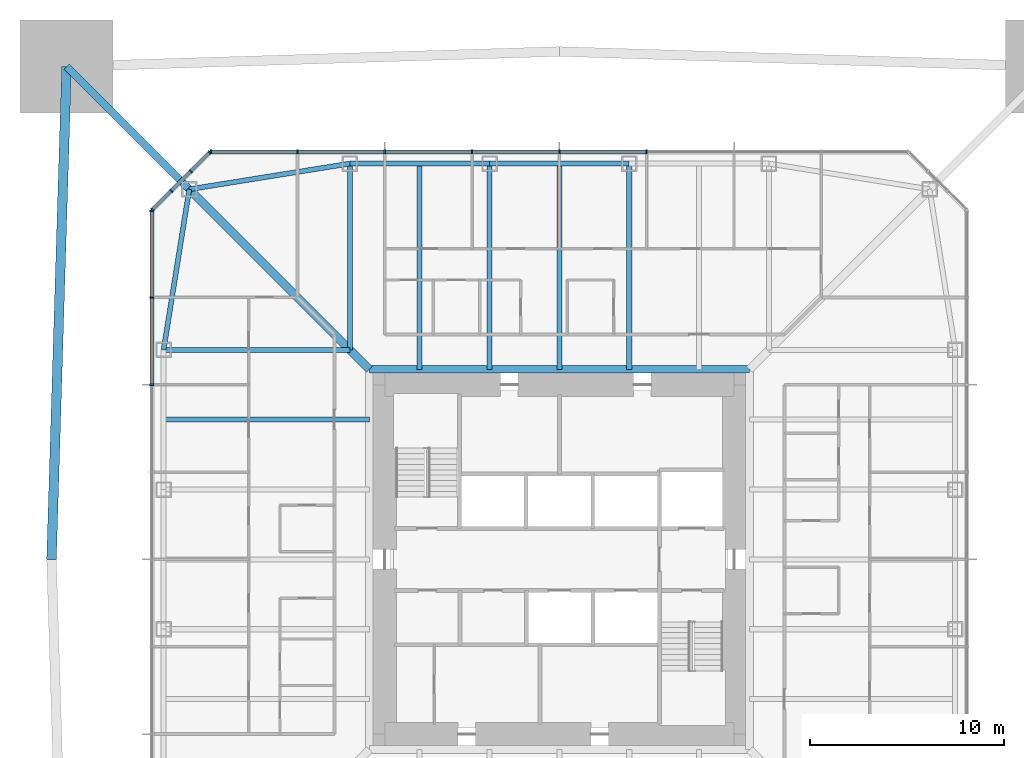
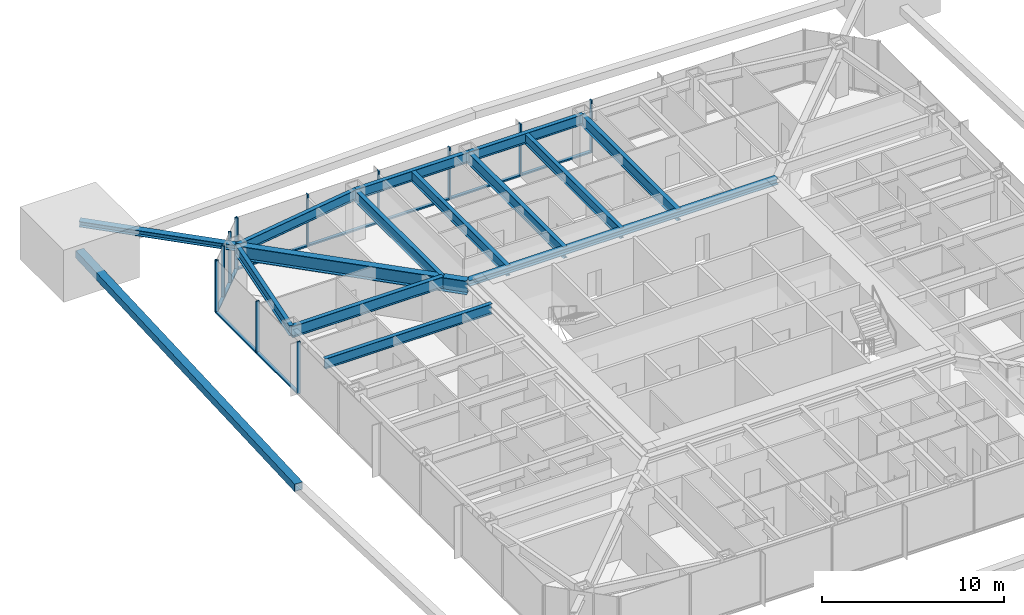
# One storey, part 7 of 27: 25 members, 13 beams, 3 elements without a shape of their own.
"""IFC4 building model written with IfcOpenShell, lengths in metres."""

from ifc_helpers import new_model, si_unit, direction, frame, origin, origin_2d, place, context, subcontext, project, spatial, rectangle, hollow_rectangle, i_section, extrude, material, material_profile, profile_set, type_object, element, aggregate, save


model = new_model("IFC4")

# Units and contexts
model_context = context("Model", 3, precision=1e-05, world=origin(), true_north=direction((0.0, 1.0)))
body_context = subcontext(model_context, "Body", "Model", "MODEL_VIEW")
ifc_project = project(units=[si_unit("LENGTHUNIT", "METRE"), si_unit("AREAUNIT", "SQUARE_METRE"), si_unit("VOLUMEUNIT", "CUBIC_METRE"), si_unit("PLANEANGLEUNIT", "RADIAN"), si_unit("MASSUNIT", "GRAM", prefix="KILO")], contexts=[model_context])

# Site, building, storey
site_placement = place(None, origin())
site = spatial("IfcSite", under=ifc_project, at=site_placement, CompositionType="ELEMENT")
building_placement = place(site_placement, origin())
building = spatial("IfcBuilding", under=site, at=building_placement, Name="Iwan Alto Co-Living Towers", CompositionType="ELEMENT")
storey_placement = place(building_placement, frame((0.0, 0.0, 91.0)))
storey = spatial("IfcBuildingStorey", under=building, at=storey_placement, Name="L24", CompositionType="ELEMENT", Elevation=91.0)

# Curtain wall, members
ifc_material_1 = material(Name="Bronze aluminium unitised frame", Category="aluminium")
curtain_wall_type_1 = type_object("IfcCurtainWallType", Name="CURTAIN WALL CW-A", PredefinedType="NOTDEFINED", material=ifc_material_1)
curtain_wall_1_placement = place(storey_placement, origin())
curtain_wall_1 = element("IfcCurtainWall", 1, at=curtain_wall_1_placement, inside=storey, type_object=curtain_wall_type_1, Name="T1 curtain wall N L24", PredefinedType="NOTDEFINED")
ifc_material_2 = material(Name="Aluminium 6063-T6 bronze anodised", Category="aluminium")
ifc_material_profile_1 = material_profile(ifc_material_2, rectangle(XDim=0.199951171875, YDim=0.080078125, at=origin_2d()), Name="AL 80X200")
ifc_profile_set_1 = profile_set([ifc_material_profile_1], Name="Aluminium 6063-T6 bronze anodised")
member_type_1 = type_object("IfcMemberType", Name="CW-A MULLION 80X200", PredefinedType="MULLION", material=ifc_profile_set_1)
member_1_placement = place(storey_placement, frame((4.5, 21.0, 0.0), z_axis=(0.0, 0.0, 1.0), x_axis=(0.0, -1.0, 0.0)))
member_1 = element("IfcMember", 2, at=member_1_placement, type_object=member_type_1, Name="CW-A mullion 4", PredefinedType="MULLION", context=body_context, shape_type="SweptSolid", body=[
    extrude(rectangle(XDim=0.199951171875, YDim=0.080078125, at=origin_2d()), origin(), (0.0, 0.0, 1.0), 3.5),
])
member_2_placement = place(storey_placement, frame((0.0, 21.0, 0.0), z_axis=(0.0, 0.0, 1.0), x_axis=(0.0, -1.0, 0.0)))
member_2 = element("IfcMember", 3, at=member_2_placement, type_object=member_type_1, Name="CW-A mullion 5", PredefinedType="MULLION", context=body_context, shape_type="SweptSolid", body=[
    extrude(rectangle(XDim=0.199951171875, YDim=0.080078125, at=origin_2d()), origin(), (0.0, 0.0, 1.0), 3.5),
])
member_3_placement = place(storey_placement, frame((-4.5, 21.0, 0.0), z_axis=(0.0, 0.0, 1.0), x_axis=(0.0, -1.0, 0.0)))
member_3 = element("IfcMember", 4, at=member_3_placement, type_object=member_type_1, Name="CW-A mullion 6", PredefinedType="MULLION", context=body_context, shape_type="SweptSolid", body=[
    extrude(rectangle(XDim=0.199951171875, YDim=0.080078125, at=origin_2d()), origin(), (0.0, 0.0, 1.0), 3.5),
])
member_4_placement = place(storey_placement, frame((-9.0, 21.0, 0.0), z_axis=(0.0, 0.0, 1.0), x_axis=(0.0, -1.0, 0.0)))
member_4 = element("IfcMember", 5, at=member_4_placement, type_object=member_type_1, Name="CW-A mullion 7", PredefinedType="MULLION", context=body_context, shape_type="SweptSolid", body=[
    extrude(rectangle(XDim=0.199951171875, YDim=0.080078125, at=origin_2d()), origin(), (0.0, 0.0, 1.0), 3.5),
])
member_5_placement = place(storey_placement, frame((-13.5, 21.0, 0.0), z_axis=(0.0, 0.0, 1.0), x_axis=(0.0, -1.0, 0.0)))
member_5 = element("IfcMember", 6, at=member_5_placement, type_object=member_type_1, Name="CW-A mullion 8", PredefinedType="MULLION", context=body_context, shape_type="SweptSolid", body=[
    extrude(rectangle(XDim=0.199951171875, YDim=0.080078125, at=origin_2d()), origin(), (0.0, 0.0, 1.0), 3.5),
])
member_6_placement = place(storey_placement, frame((-17.9599609375, 21.0, 0.0), z_axis=(0.0, 0.0, 1.0), x_axis=(0.0, -1.0, 0.0)))
member_6 = element("IfcMember", 7, at=member_6_placement, type_object=member_type_1, Name="CW-A mullion 9", PredefinedType="MULLION", context=body_context, shape_type="SweptSolid", body=[
    extrude(rectangle(XDim=0.199951171875, YDim=0.080078125, at=origin_2d()), origin(), (0.0, 0.0, 1.0), 3.5),
])

curtain_wall_2_placement = place(storey_placement, origin())
curtain_wall_2 = element("IfcCurtainWall", 8, at=curtain_wall_2_placement, inside=storey, type_object=curtain_wall_type_1, Name="T1 curtain wall W L24", PredefinedType="NOTDEFINED")
member_7_placement = place(storey_placement, frame((-21.0, 17.9599609375, 0.0), z_axis=(0.0, 0.0, 1.0), x_axis=(1.0, 0.0, 0.0)))
member_7 = element("IfcMember", 9, at=member_7_placement, type_object=member_type_1, Name="CW-A mullion 1", PredefinedType="MULLION", context=body_context, shape_type="SweptSolid", body=[
    extrude(rectangle(XDim=0.199951171875, YDim=0.080078125, at=origin_2d()), origin(), (0.0, 0.0, 1.0), 3.5),
])
member_8_placement = place(storey_placement, frame((-21.0, 13.5, 0.0), z_axis=(0.0, 0.0, 1.0), x_axis=(1.0, 0.0, 0.0)))
member_8 = element("IfcMember", 10, at=member_8_placement, type_object=member_type_1, Name="CW-A mullion 2", PredefinedType="MULLION", context=body_context, shape_type="SweptSolid", body=[
    extrude(rectangle(XDim=0.199951171875, YDim=0.080078125, at=origin_2d()), origin(), (0.0, 0.0, 1.0), 3.5),
])
member_9_placement = place(storey_placement, frame((-21.0, 9.0, 0.0), z_axis=(0.0, 0.0, 1.0), x_axis=(1.0, 0.0, 0.0)))
member_9 = element("IfcMember", 11, at=member_9_placement, type_object=member_type_1, Name="CW-A mullion 3", PredefinedType="MULLION", context=body_context, shape_type="SweptSolid", body=[
    extrude(rectangle(XDim=0.199951171875, YDim=0.080078125, at=origin_2d()), origin(), (0.0, 0.0, 1.0), 3.5),
])

# Member
ifc_material_3 = material(Name="Aluminium 6063-T6 bronze anodised", Category="aluminium")
ifc_material_profile_2 = material_profile(ifc_material_3, rectangle(XDim=0.199951171875, YDim=0.10009765625, at=origin_2d()), Name="AL 200X100")
ifc_profile_set_2 = profile_set([ifc_material_profile_2], Name="Aluminium 6063-T6 bronze anodised")
member_type_2 = type_object("IfcMemberType", Name="CW-A TRANSOM 200X100", PredefinedType="USERDEFINED", material=ifc_profile_set_2)
member_10_placement = place(storey_placement, frame((4.4599609375, 21.0, 0.050048828125), z_axis=(-1.0, 0.0, 0.0), x_axis=(0.0, -1.0, 0.0)))
member_10 = element("IfcMember", 12, at=member_10_placement, type_object=member_type_2, Name="CW-A transom 4.1", ObjectType="TRANSOM", PredefinedType="USERDEFINED", context=body_context, shape_type="SweptSolid", body=[
    extrude(rectangle(XDim=0.199951171875, YDim=0.10009765625, at=origin_2d()), origin(), (0.0, 0.0, 1.0), 4.419921875),
])

member_11_placement = place(storey_placement, frame((-0.0400390625, 21.0, 0.050048828125), z_axis=(-1.0, 0.0, 0.0), x_axis=(0.0, -1.0, 0.0)))
member_11 = element("IfcMember", 13, at=member_11_placement, type_object=member_type_2, Name="CW-A transom 5.1", ObjectType="TRANSOM", PredefinedType="USERDEFINED", context=body_context, shape_type="SweptSolid", body=[
    extrude(rectangle(XDim=0.199951171875, YDim=0.10009765625, at=origin_2d()), origin(), (0.0, 0.0, 1.0), 4.419921875),
])

member_12_placement = place(storey_placement, frame((-4.5400390625, 21.0, 0.050048828125), z_axis=(-1.0, 0.0, 0.0), x_axis=(0.0, -1.0, 0.0)))
member_12 = element("IfcMember", 14, at=member_12_placement, type_object=member_type_2, Name="CW-A transom 6.1", ObjectType="TRANSOM", PredefinedType="USERDEFINED", context=body_context, shape_type="SweptSolid", body=[
    extrude(rectangle(XDim=0.199951171875, YDim=0.10009765625, at=origin_2d()), origin(), (0.0, 0.0, 1.0), 4.419921875),
])

member_13_placement = place(storey_placement, frame((-9.0400390625, 21.0, 0.050048828125), z_axis=(-1.0, 0.0, 0.0), x_axis=(0.0, -1.0, 0.0)))
member_13 = element("IfcMember", 15, at=member_13_placement, type_object=member_type_2, Name="CW-A transom 7.1", ObjectType="TRANSOM", PredefinedType="USERDEFINED", context=body_context, shape_type="SweptSolid", body=[
    extrude(rectangle(XDim=0.199951171875, YDim=0.10009765625, at=origin_2d()), origin(), (0.0, 0.0, 1.0), 4.419921875),
])

member_14_placement = place(storey_placement, frame((-13.5400390625, 21.0, 0.050048828125), z_axis=(-1.0, 0.0, 0.0), x_axis=(0.0, -1.0, 0.0)))
member_14 = element("IfcMember", 16, at=member_14_placement, type_object=member_type_2, Name="CW-A transom 8.1", ObjectType="TRANSOM", PredefinedType="USERDEFINED", context=body_context, shape_type="SweptSolid", body=[
    extrude(rectangle(XDim=0.199951171875, YDim=0.10009765625, at=origin_2d()), origin(), (0.0, 0.0, 1.0), 4.3798828125),
])

aggregate(curtain_wall_1, [member_1, member_2, member_3, member_4, member_5, member_6, member_10, member_11, member_12, member_13, member_14])

member_15_placement = place(storey_placement, frame((-21.0, 17.919921875, 0.050048828125), z_axis=(0.0, -1.0, 0.0), x_axis=(1.0, 0.0, 0.0)))
member_15 = element("IfcMember", 17, at=member_15_placement, type_object=member_type_2, Name="CW-A transom 1.1", ObjectType="TRANSOM", PredefinedType="USERDEFINED", context=body_context, shape_type="SweptSolid", body=[
    extrude(rectangle(XDim=0.199951171875, YDim=0.10009765625, at=origin_2d()), origin(), (0.0, 0.0, 1.0), 4.3798828125),
])

member_16_placement = place(storey_placement, frame((-21.0, 13.4599609375, 0.050048828125), z_axis=(0.0, -1.0, 0.0), x_axis=(1.0, 0.0, 0.0)))
member_16 = element("IfcMember", 18, at=member_16_placement, type_object=member_type_2, Name="CW-A transom 2.1", ObjectType="TRANSOM", PredefinedType="USERDEFINED", context=body_context, shape_type="SweptSolid", body=[
    extrude(rectangle(XDim=0.199951171875, YDim=0.10009765625, at=origin_2d()), origin(), (0.0, 0.0, 1.0), 4.419921875),
])

aggregate(curtain_wall_2, [member_7, member_8, member_9, member_15, member_16])

# Curtain wall, members
ifc_material_4 = material(Name="Bronze aluminium unitised frame", Category="aluminium")
curtain_wall_type_2 = type_object("IfcCurtainWallType", Name="CURTAIN WALL CW-B", PredefinedType="NOTDEFINED", material=ifc_material_4)
curtain_wall_3_placement = place(storey_placement, origin())
curtain_wall_3 = element("IfcCurtainWall", 19, at=curtain_wall_3_placement, inside=storey, type_object=curtain_wall_type_2, Name="T1 chamfer curtain wall NW L24", PredefinedType="NOTDEFINED")
ifc_material_5 = material(Name="Aluminium 6063-T6 bronze anodised", Category="aluminium")
ifc_material_profile_3 = material_profile(ifc_material_5, rectangle(XDim=0.199951171875, YDim=0.080078125, at=origin_2d()), Name="AL 80X200")
ifc_profile_set_3 = profile_set([ifc_material_profile_3], Name="Aluminium 6063-T6 bronze anodised")
member_type_3 = type_object("IfcMemberType", Name="CW-B MULLION 80X200", PredefinedType="MULLION", material=ifc_profile_set_3)
member_17_placement = place(storey_placement, frame((-18.0283203125, 20.9716796875, 0.0), z_axis=(0.0, 0.0, 1.0), x_axis=(0.707106781187, -0.707106781187, 0.0)))
member_17 = element("IfcMember", 20, at=member_17_placement, type_object=member_type_3, Name="CW-B mullion 1", PredefinedType="MULLION", context=body_context, shape_type="SweptSolid", body=[
    extrude(rectangle(XDim=0.199951171875, YDim=0.080078125, at=origin_2d()), origin(), (0.0, 0.0, 1.0), 3.5),
])
member_18_placement = place(storey_placement, frame((-19.0, 20.0, 0.0), z_axis=(0.0, 0.0, 1.0), x_axis=(0.707106781187, -0.707106781187, 0.0)))
member_18 = element("IfcMember", 21, at=member_18_placement, type_object=member_type_3, Name="CW-B mullion 2", PredefinedType="MULLION", context=body_context, shape_type="SweptSolid", body=[
    extrude(rectangle(XDim=0.199951171875, YDim=0.080078125, at=origin_2d()), origin(), (0.0, 0.0, 1.0), 3.5),
])
member_19_placement = place(storey_placement, frame((-20.0, 19.0, 0.0), z_axis=(0.0, 0.0, 1.0), x_axis=(0.707106781187, -0.707106781187, 0.0)))
member_19 = element("IfcMember", 22, at=member_19_placement, type_object=member_type_3, Name="CW-B mullion 3", PredefinedType="MULLION", context=body_context, shape_type="SweptSolid", body=[
    extrude(rectangle(XDim=0.199951171875, YDim=0.080078125, at=origin_2d()), origin(), (0.0, 0.0, 1.0), 3.5),
])
member_20_placement = place(storey_placement, frame((-20.9716796875, 18.0283203125, 0.0), z_axis=(0.0, 0.0, 1.0), x_axis=(0.707106781187, -0.707106781187, 0.0)))
member_20 = element("IfcMember", 23, at=member_20_placement, type_object=member_type_3, Name="CW-B mullion 4", PredefinedType="MULLION", context=body_context, shape_type="SweptSolid", body=[
    extrude(rectangle(XDim=0.199951171875, YDim=0.080078125, at=origin_2d()), origin(), (0.0, 0.0, 1.0), 3.5),
])
ifc_material_6 = material(Name="Aluminium 6063-T6 bronze anodised", Category="aluminium")
ifc_material_profile_4 = material_profile(ifc_material_6, rectangle(XDim=0.199951171875, YDim=0.10009765625, at=origin_2d()), Name="AL 200X100")
ifc_profile_set_4 = profile_set([ifc_material_profile_4], Name="Aluminium 6063-T6 bronze anodised")
member_type_4 = type_object("IfcMemberType", Name="CW-B TRANSOM 200X100", PredefinedType="USERDEFINED", material=ifc_profile_set_4)
member_21_placement = place(storey_placement, frame((-18.056640625, 20.943359375, 0.050048828125), z_axis=(-0.707106781187, -0.707106781187, 0.0), x_axis=(0.707106781187, -0.707106781187, 0.0)))
member_21 = element("IfcMember", 24, at=member_21_placement, type_object=member_type_4, Name="CW-B transom 1.1", ObjectType="TRANSOM", PredefinedType="USERDEFINED", context=body_context, shape_type="SweptSolid", body=[
    extrude(rectangle(XDim=0.199951171875, YDim=0.10009765625, at=origin_2d()), origin(), (0.0, 0.0, 1.0), 1.2939453125),
])
member_22_placement = place(storey_placement, frame((-19.0283203125, 19.9716796875, 0.050048828125), z_axis=(-0.707106781187, -0.707106781187, 0.0), x_axis=(0.707106781187, -0.707106781187, 0.0)))
member_22 = element("IfcMember", 25, at=member_22_placement, type_object=member_type_4, Name="CW-B transom 2.1", ObjectType="TRANSOM", PredefinedType="USERDEFINED", context=body_context, shape_type="SweptSolid", body=[
    extrude(rectangle(XDim=0.199951171875, YDim=0.10009765625, at=origin_2d()), origin(), (0.0, 0.0, 1.0), 1.334228515625),
])
member_23_placement = place(storey_placement, frame((-20.0283203125, 18.9716796875, 0.050048828125), z_axis=(-0.707106781187, -0.707106781187, 0.0), x_axis=(0.707106781187, -0.707106781187, 0.0)))
member_23 = element("IfcMember", 26, at=member_23_placement, type_object=member_type_4, Name="CW-B transom 3.1", ObjectType="TRANSOM", PredefinedType="USERDEFINED", context=body_context, shape_type="SweptSolid", body=[
    extrude(rectangle(XDim=0.199951171875, YDim=0.10009765625, at=origin_2d()), origin(), (0.0, 0.0, 1.0), 1.2939453125),
])
aggregate(curtain_wall_3, [member_17, member_18, member_19, member_20, member_21, member_22, member_23])

# Beams
ifc_material_7 = material(Name="Steel ASTM A992 Gr 50", Category="steel")
ifc_material_profile_5 = material_profile(ifc_material_7, i_section(OverallWidth=0.398681640625, OverallDepth=0.385986328125, WebThickness=0.02099609375, FlangeThickness=0.033203125, at=origin_2d()), Name="W14X176")
ifc_profile_set_5 = profile_set([ifc_material_profile_5], Name="Steel ASTM A992 Gr 50")
beam_type_1 = type_object("IfcBeamType", Name="T1 CORE LEDGER BEAM W14X176", PredefinedType="BEAM", material=ifc_profile_set_5)
beam_1_placement = place(storey_placement, frame((9.79931640625, 9.79931640625, 3.076904296875), z_axis=(-1.0, 0.0, 0.0), x_axis=(0.0, -1.0, 0.0)))
element("IfcBeam", 27, at=beam_1_placement, inside=storey, type_object=beam_type_1, Name="T1 core ledger beam N L25", PredefinedType="BEAM", context=body_context, shape_type="SweptSolid", body=[
    extrude(i_section(OverallWidth=0.398681640625, OverallDepth=0.385986328125, WebThickness=0.02099609375, FlangeThickness=0.033203125, at=origin_2d()), origin(), (0.0, 0.0, 1.0), 19.5986328125),
])
ifc_material_8 = material(Name="Steel ASTM A992 Gr 50", Category="steel")
ifc_material_profile_6 = material_profile(ifc_material_8, i_section(OverallWidth=0.419189453125, OverallDepth=0.927001953125, WebThickness=0.019287109375, FlangeThickness=0.031982421875, at=origin_2d()), Name="W36X231")
ifc_profile_set_6 = profile_set([ifc_material_profile_6], Name="Steel ASTM A992 Gr 50")
beam_type_2 = type_object("IfcBeamType", Name="T1 CORNER GIRDER W36X231", PredefinedType="BEAM", material=ifc_profile_set_6)
beam_2_placement = place(storey_placement, frame((-19.07568359375, 19.07568359375, 2.806396484375), z_axis=(0.707106781187, -0.707106781187, 0.0), x_axis=(0.707106781187, 0.707106781187, 0.0)))
element("IfcBeam", 28, at=beam_2_placement, inside=storey, type_object=beam_type_2, Name="T1 corner girder CNW L25", PredefinedType="BEAM", context=body_context, shape_type="SweptSolid", body=[
    extrude(i_section(OverallWidth=0.419189453125, OverallDepth=0.927001953125, WebThickness=0.019287109375, FlangeThickness=0.031982421875, at=origin_2d()), origin(), (0.0, 0.0, 1.0), 13.11865234375),
])
ifc_material_9 = material(Name="Steel ASTM A992 Gr 50", Category="steel")
ifc_material_profile_7 = material_profile(ifc_material_9, i_section(OverallWidth=0.25390625, OverallDepth=0.683349609375, WebThickness=0.012451171875, FlangeThickness=0.018798828125, at=origin_2d()), Name="W27X94")
ifc_profile_set_7 = profile_set([ifc_material_profile_7], Name="Steel ASTM A992 Gr 50")
beam_type_3 = type_object("IfcBeamType", Name="T1 EDGE BEAM W27X94", PredefinedType="BEAM", material=ifc_profile_set_7)
beam_3_placement = place(storey_placement, frame((3.60009765625, 20.39990234375, 2.928466796875), z_axis=(-1.0, 0.0, 0.0), x_axis=(0.0, -1.0, 0.0)))
element("IfcBeam", 29, at=beam_3_placement, inside=storey, type_object=beam_type_3, Name="T1 edge beam N2 L25", PredefinedType="BEAM", context=body_context, shape_type="SweptSolid", body=[
    extrude(i_section(OverallWidth=0.25390625, OverallDepth=0.683349609375, WebThickness=0.012451171875, FlangeThickness=0.018798828125, at=origin_2d()), origin(), (0.0, 0.0, 1.0), 7.2001953125),
])
beam_4_placement = place(storey_placement, frame((-3.60009765625, 20.39990234375, 2.928466796875), z_axis=(-1.0, 0.0, 0.0), x_axis=(0.0, -1.0, 0.0)))
element("IfcBeam", 30, at=beam_4_placement, inside=storey, type_object=beam_type_3, Name="T1 edge beam N3 L25", PredefinedType="BEAM", context=body_context, shape_type="SweptSolid", body=[
    extrude(i_section(OverallWidth=0.25390625, OverallDepth=0.683349609375, WebThickness=0.012451171875, FlangeThickness=0.018798828125, at=origin_2d()), origin(), (0.0, 0.0, 1.0), 7.199951171875),
])
for number, where, z_axis, x_axis, name in (
    (31, (-10.800048828125, 20.39990234375, 2.928466796875), (-0.987438450439, -0.158004134737, 0.0), (0.158004134737, -0.987438450439, 0.0), "T1 edge beam N4 L25"),
    (32, (-19.07568359375, 19.07568359375, 2.928466796875), (-0.158004134737, -0.987438450439, 0.0), (0.987438450439, -0.158004134737, 0.0), "T1 edge beam CNW L25"),
):
    element("IfcBeam", number, at=place(storey_placement, frame(where, z_axis=z_axis, x_axis=x_axis)), inside=storey, type_object=beam_type_3, Name=name, PredefinedType="BEAM", context=body_context, shape_type="SweptSolid", body=[
        extrude(i_section(OverallWidth=0.25390625, OverallDepth=0.683349609375, WebThickness=0.012451171875, FlangeThickness=0.018798828125, at=origin_2d()), origin(), (0.0, 0.0, 1.0), 8.380859375),
    ])

# Members
ifc_material_10 = material(Name="Steel ASTM A992 Gr 50", Category="steel")
ifc_material_profile_8 = material_profile(ifc_material_10, i_section(OverallWidth=0.393798828125, OverallDepth=0.3759765625, WebThickness=0.017333984375, FlangeThickness=0.027587890625, at=origin_2d()), Name="W14X145")
ifc_profile_set_8 = profile_set([ifc_material_profile_8], Name="Steel ASTM A992 Gr 50")
member_type_5 = type_object("IfcMemberType", Name="T1 MEGA COLUMN FLOOR TIE W14X145", PredefinedType="STRUT", material=ifc_profile_set_8)
member_24_placement = place(storey_placement, frame((-25.39990234375, 25.39990234375, 3.08203125), z_axis=(0.707106781187, -0.707106781187, 0.0), x_axis=(0.707106781187, 0.707106781187, 0.0)))
element("IfcMember", 33, at=member_24_placement, inside=storey, type_object=member_type_5, Name="T1 mega column floor tie NW L25", PredefinedType="STRUT", context=body_context, shape_type="SweptSolid", body=[
    extrude(i_section(OverallWidth=0.393798828125, OverallDepth=0.3759765625, WebThickness=0.017333984375, FlangeThickness=0.027587890625, at=origin_2d()), origin(), (0.0, 0.0, 1.0), 8.94384765625),
])
ifc_material_11 = material(Name="Steel ASTM A572 Gr 50", Category="steel")
ifc_material_profile_9 = material_profile(ifc_material_11, hollow_rectangle(XDim=0.5, YDim=0.5, WallThickness=0.031982421875, at=origin_2d()), Name="BOX 500X500X32")
ifc_profile_set_9 = profile_set([ifc_material_profile_9], Name="Steel ASTM A572 Gr 50")
member_type_6 = type_object("IfcMemberType", Name="T1 MEGA TIE BOX 500X500X32", PredefinedType="STRUT", material=ifc_profile_set_9)
member_25_placement = place(storey_placement, frame((-25.39990234375, 25.39990234375, 1.01904296875), z_axis=(-0.030522691262, -0.999534074116, 0.0), x_axis=(0.999534074116, -0.030522691262, 0.0)))
element("IfcMember", 34, at=member_25_placement, inside=storey, type_object=member_type_6, Name="T1 mega tie Z2A W 1", PredefinedType="STRUT", context=body_context, shape_type="SweptSolid", body=[
    extrude(hollow_rectangle(XDim=0.5, YDim=0.5, WallThickness=0.031982421875, at=origin_2d()), origin(), (0.0, 0.0, 1.0), 25.41162109375),
])

# Beams
ifc_material_12 = material(Name="Steel ASTM A992 Gr 50", Category="steel")
ifc_material_profile_10 = material_profile(ifc_material_12, i_section(OverallWidth=0.2666015625, OverallDepth=0.761962890625, WebThickness=0.014404296875, FlangeThickness=0.021484375, at=origin_2d()), Name="W30X116")
ifc_profile_set_10 = profile_set([ifc_material_profile_10], Name="Steel ASTM A992 Gr 50")
beam_type_4 = type_object("IfcBeamType", Name="T1 RADIAL BEAM W30X116", PredefinedType="BEAM", material=ifc_profile_set_10)
for number, where, z_axis, x_axis, name in (
    (35, (3.60009765625, 20.39990234375, 2.888916015625), (0.0, -1.0, 0.0), (1.0, 0.0, 0.0), "T1 radial beam N2 L25"),
    (36, (-3.60009765625, 20.39990234375, 2.888916015625), (0.0, -1.0, 0.0), (1.0, 0.0, 0.0), "T1 radial beam N3 L25"),
):
    element("IfcBeam", number, at=place(storey_placement, frame(where, z_axis=z_axis, x_axis=x_axis)), inside=storey, type_object=beam_type_4, Name=name, PredefinedType="BEAM", context=body_context, shape_type="SweptSolid", body=[
        extrude(i_section(OverallWidth=0.2666015625, OverallDepth=0.761962890625, WebThickness=0.014404296875, FlangeThickness=0.021484375, at=origin_2d()), origin(), (0.0, 0.0, 1.0), 10.6005859375),
    ])
for number, where, z_axis, x_axis, name in (
    (37, (-10.800048828125, 20.39990234375, 2.888916015625), (0.0, -1.0, 0.0), (1.0, 0.0, 0.0), "T1 radial beam N4 L25"),
    (38, (-20.39990234375, 10.800048828125, 2.888916015625), (1.0, 0.0, 0.0), (0.0, 1.0, 0.0), "T1 radial beam W1 L25"),
):
    element("IfcBeam", number, at=place(storey_placement, frame(where, z_axis=z_axis, x_axis=x_axis)), inside=storey, type_object=beam_type_4, Name=name, PredefinedType="BEAM", context=body_context, shape_type="SweptSolid", body=[
        extrude(i_section(OverallWidth=0.2666015625, OverallDepth=0.761962890625, WebThickness=0.014404296875, FlangeThickness=0.021484375, at=origin_2d()), origin(), (0.0, 0.0, 1.0), 9.599853515625),
    ])
ifc_material_13 = material(Name="Steel ASTM A992 Gr 50", Category="steel")
ifc_material_profile_11 = material_profile(ifc_material_13, i_section(OverallWidth=0.25390625, OverallDepth=0.683349609375, WebThickness=0.012451171875, FlangeThickness=0.018798828125, at=origin_2d()), Name="W27X94")
ifc_profile_set_11 = profile_set([ifc_material_profile_11], Name="Steel ASTM A992 Gr 50")
beam_type_5 = type_object("IfcBeamType", Name="T1 SECONDARY BEAM W27X94", PredefinedType="JOIST", material=ifc_profile_set_11)
for number, where, z_axis, x_axis, name in (
    (39, (0.0, 20.39990234375, 2.928466796875), (0.0, -1.0, 0.0), (1.0, 0.0, 0.0), "T1 secondary beam N2 L25"),
    (40, (-7.199951171875, 20.39990234375, 2.928466796875), (0.0, -1.0, 0.0), (1.0, 0.0, 0.0), "T1 secondary beam N3 L25"),
    (41, (-20.39990234375, 7.199951171875, 2.928466796875), (1.0, 0.0, 0.0), (0.0, 1.0, 0.0), "T1 secondary beam W1 L25"),
):
    element("IfcBeam", number, at=place(storey_placement, frame(where, z_axis=z_axis, x_axis=x_axis)), inside=storey, type_object=beam_type_5, Name=name, PredefinedType="JOIST", context=body_context, shape_type="SweptSolid", body=[
        extrude(i_section(OverallWidth=0.25390625, OverallDepth=0.683349609375, WebThickness=0.012451171875, FlangeThickness=0.018798828125, at=origin_2d()), origin(), (0.0, 0.0, 1.0), 10.6005859375),
    ])

save(model, "model.ifc")
